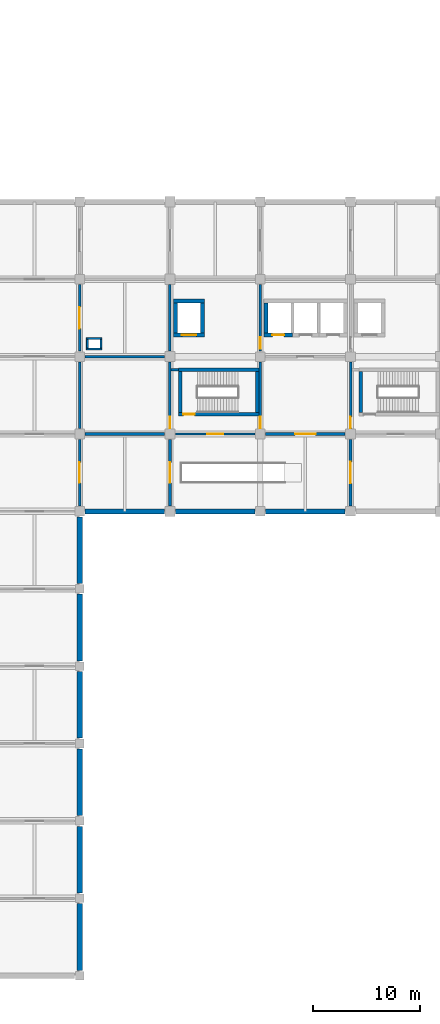
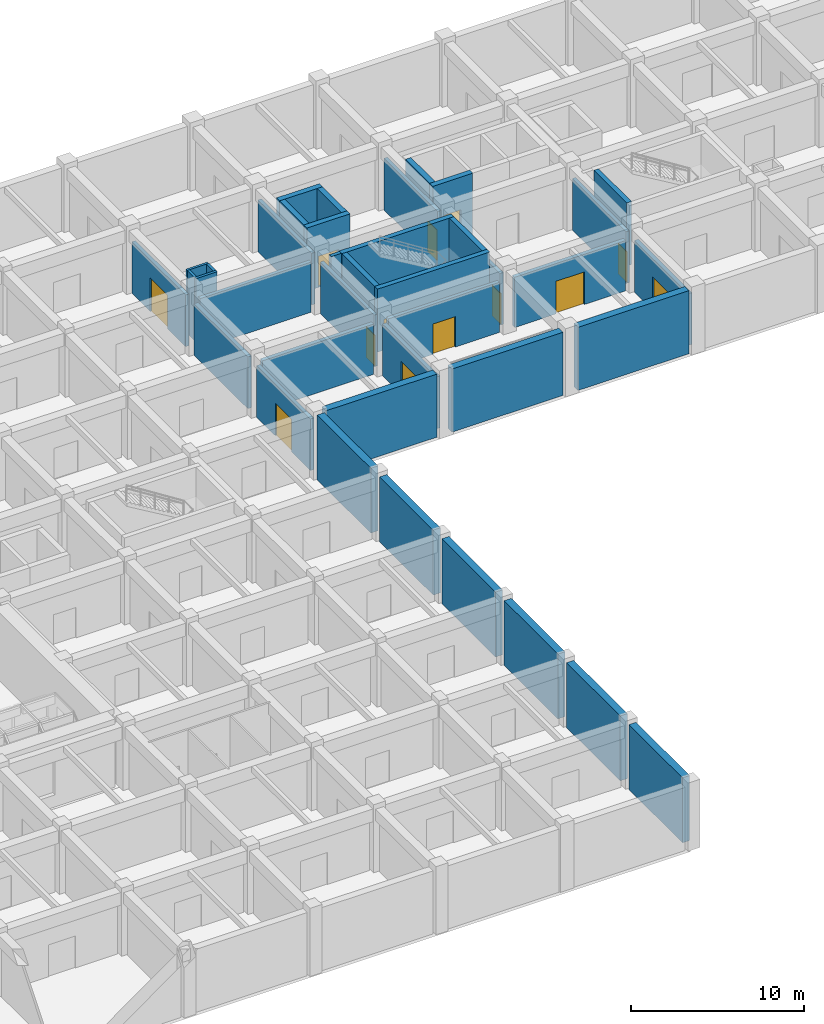
# One storey, part 21 of 32: 39 walls, 13 doors, 13 openings.
"""IFC4 building model written with IfcOpenShell, lengths in metres."""

from ifc_helpers import new_model, si_unit, derived_unit, direction, frame, frame_2d, origin, place, context, subcontext, project, spatial, rectangle, extrude, material, layer, layer_set, type_object, element, fill, save


model = new_model("IFC4")

# Units and contexts
model_context = context("Model", 3, precision=1e-05, world=origin(), true_north=direction((0.0, 1.0)))
body_context = subcontext(model_context, "Body", "Model", "MODEL_VIEW")
ifc_project = project(units=[si_unit("LENGTHUNIT", "METRE"), si_unit("AREAUNIT", "SQUARE_METRE"), si_unit("VOLUMEUNIT", "CUBIC_METRE"), si_unit("PLANEANGLEUNIT", "RADIAN"), si_unit("MASSUNIT", "GRAM", prefix="KILO"), derived_unit("THERMALTRANSMITTANCEUNIT", [(si_unit("MASSUNIT", "GRAM", prefix="KILO"), 1), (si_unit("TIMEUNIT", "SECOND"), -3), (si_unit("THERMODYNAMICTEMPERATUREUNIT", "KELVIN"), -1)])], contexts=[model_context])

# Site, building, storey
site_placement = place(None, origin())
site = spatial("IfcSite", under=ifc_project, at=site_placement, CompositionType="ELEMENT")
building_placement = place(site_placement, origin())
building = spatial("IfcBuilding", under=site, at=building_placement, Name="Veldstrom Oceanarium and Marine Research Institute", CompositionType="ELEMENT")
storey_placement = place(building_placement, frame((0.0, 0.0, -4.800048828125)))
storey = spatial("IfcBuildingStorey", under=building, at=storey_placement, Name="B01", CompositionType="ELEMENT", Elevation=-4.800048828125)

# Wall, opening, door
ifc_material_1 = material(Name="Masonry Fire Compartment Wall", Category="masonry")
ifc_layer_1 = layer(ifc_material_1, 0.22998046875)
ifc_layer_set_1 = layer_set([ifc_layer_1], Name="ARC-WAL-PT1")
wall_type_1 = type_object("IfcWallType", Name="ARC-WAL-PT1", PredefinedType="PARTITIONING", material=ifc_layer_set_1)
wall_1_placement = place(storey_placement, frame((67.199951171875, 43.699951171875, 0.0), z_axis=(0.0, 0.0, 1.0), x_axis=(0.0, 1.0, 0.0)))
wall_1 = element("IfcWall", 1, at=wall_1_placement, inside=storey, type_object=wall_type_1, Name="Interior Partition PT1 B01-0417", PredefinedType="PARTITIONING", context=body_context, shape_type="SweptSolid", body=[
    extrude(rectangle(XDim=6.199951171875, YDim=0.22998046875, at=frame_2d((3.10009765625, 0.0))), origin(), (0.0, 0.0, 1.0), 3.64501953125),
])
opening_1_placement = place(wall_1_placement, frame((2.14990234375, 0.0, 0.0)))
opening_1 = element("IfcOpeningElement", 2, at=opening_1_placement, cuts=wall_1, Name="Opening D-B01-242", PredefinedType="OPENING", context=body_context, shape_type="SweptSolid", body=[
    extrude(rectangle(XDim=1.89990234375, YDim=2.300048828125, at=frame_2d((0.949951171875, 1.14990234375))), frame((0.0, 0.125, 0.0), z_axis=(0.0, -1.0, 0.0), x_axis=(1.0, 0.0, 0.0)), (0.0, 0.0, 1.0), 0.25),
])
ifc_material_2 = material(Name="Plant Hall Equipment Door", Category="steel")
door_type_1 = type_object("IfcDoorType", Name="ARC-DOR-ID12", OperationType="DOUBLE_DOOR_SINGLE_SWING", PredefinedType="DOOR", material=ifc_material_2)
door_1_placement = place(opening_1_placement, frame((1.89990234375, 0.0, 0.0), z_axis=(0.0, 0.0, 1.0), x_axis=(-1.0, 0.0, 0.0)))
door_1 = element("IfcDoor", 3, at=door_1_placement, inside=storey, type_object=door_type_1, Name="Interior Door D-B01-242", OperationType="DOUBLE_DOOR_SINGLE_SWING", OverallHeight=2.300048828125, OverallWidth=1.89990234375, PredefinedType="DOOR", context=body_context, shape_type="SweptSolid", body=[
    extrude(rectangle(XDim=1.89990234375, YDim=2.300048828125, at=frame_2d((0.949951171875, 1.14990234375))), frame((0.0, 0.02490234375, 0.0), z_axis=(0.0, -1.0, 0.0), x_axis=(1.0, 0.0, 0.0)), (0.0, 0.0, 1.0), 0.050048828125),
])
fill(opening_1, door_1)

wall_2_placement = place(storey_placement, frame((67.199951171875, 58.10009765625, 0.0), z_axis=(0.0, 0.0, 1.0), x_axis=(0.0, 1.0, 0.0)))
wall_2 = element("IfcWall", 4, at=wall_2_placement, inside=storey, type_object=wall_type_1, Name="Interior Partition PT1 B01-0421", PredefinedType="PARTITIONING", context=body_context, shape_type="SweptSolid", body=[
    extrude(rectangle(XDim=6.199951171875, YDim=0.22998046875, at=frame_2d((3.10009765625, 0.0))), origin(), (0.0, 0.0, 1.0), 3.64501953125),
])
opening_2_placement = place(wall_2_placement, frame((2.10009765625, 0.0, 0.0)))
opening_2 = element("IfcOpeningElement", 5, at=opening_2_placement, cuts=wall_2, Name="Opening D-B01-245", PredefinedType="OPENING", context=body_context, shape_type="SweptSolid", body=[
    extrude(rectangle(XDim=2.0, YDim=2.35009765625, at=frame_2d((1.0, 1.175048828125))), frame((0.0, 0.125, 0.0), z_axis=(0.0, -1.0, 0.0), x_axis=(1.0, 0.0, 0.0)), (0.0, 0.0, 1.0), 0.25),
])
ifc_material_3 = material(Name="Filtration Hall Double Door", Category="steel")
door_type_2 = type_object("IfcDoorType", Name="ARC-DOR-ID18", OperationType="DOUBLE_DOOR_SINGLE_SWING", PredefinedType="DOOR", material=ifc_material_3)
door_2_placement = place(opening_2_placement, frame((2.0, 0.0, 0.0), z_axis=(0.0, 0.0, 1.0), x_axis=(-1.0, 0.0, 0.0)))
door_2 = element("IfcDoor", 6, at=door_2_placement, inside=storey, type_object=door_type_2, Name="Interior Door D-B01-245", OperationType="DOUBLE_DOOR_SINGLE_SWING", OverallHeight=2.35009765625, OverallWidth=2.0, PredefinedType="DOOR", context=body_context, shape_type="SweptSolid", body=[
    extrude(rectangle(XDim=2.0, YDim=2.35009765625, at=frame_2d((1.0, 1.175048828125))), frame((0.0, 0.02490234375, 0.0), z_axis=(0.0, -1.0, 0.0), x_axis=(1.0, 0.0, 0.0)), (0.0, 0.0, 1.0), 0.050048828125),
])
fill(opening_2, door_2)

wall_3_placement = place(storey_placement, frame((75.60009765625, 50.89990234375, 0.0), z_axis=(0.0, 0.0, 1.0), x_axis=(0.0, 1.0, 0.0)))
wall_3 = element("IfcWall", 7, at=wall_3_placement, inside=storey, type_object=wall_type_1, Name="Interior Partition PT1 B01-0426", PredefinedType="PARTITIONING", context=body_context, shape_type="SweptSolid", body=[
    extrude(rectangle(XDim=6.2001953125, YDim=0.22998046875, at=frame_2d((3.10009765625, 0.0))), origin(), (0.0, 0.0, 1.0), 3.64501953125),
])
opening_3_placement = place(wall_3_placement, frame((0.050048828125, 0.0, 0.0)))
opening_3 = element("IfcOpeningElement", 8, at=opening_3_placement, cuts=wall_3, Name="Opening D-B01-249", PredefinedType="OPENING", context=body_context, shape_type="SweptSolid", body=[
    extrude(rectangle(XDim=1.050048828125, YDim=2.14990234375, at=frame_2d((0.52490234375, 1.074951171875))), frame((0.0, 0.125, 0.0), z_axis=(0.0, -1.0, 0.0), x_axis=(1.0, 0.0, 0.0)), (0.0, 0.0, 1.0), 0.25),
])
ifc_material_4 = material(Name="Painted Steel Fire Door", Category="steel")
door_type_3 = type_object("IfcDoorType", Name="ARC-DOR-SD1", OperationType="SINGLE_SWING_LEFT", PredefinedType="DOOR", material=ifc_material_4)
door_3_placement = place(opening_3_placement, origin())
door_3 = element("IfcDoor", 9, at=door_3_placement, inside=storey, type_object=door_type_3, Name="Interior Door D-B01-249", OperationType="SINGLE_SWING_LEFT", OverallHeight=2.14990234375, OverallWidth=1.050048828125, PredefinedType="DOOR", context=body_context, shape_type="SweptSolid", body=[
    extrude(rectangle(XDim=1.050048828125, YDim=2.14990234375, at=frame_2d((0.52490234375, 1.074951171875))), frame((0.0, 0.02490234375, 0.0), z_axis=(0.0, -1.0, 0.0), x_axis=(1.0, 0.0, 0.0)), (0.0, 0.0, 1.0), 0.050048828125),
])
fill(opening_3, door_3)

# Walls
wall_4_placement = place(storey_placement, frame((67.699951171875, 57.60009765625, 0.0), z_axis=(0.0, 0.0, 1.0), x_axis=(1.0, 0.0, 0.0)))
element("IfcWall", 10, at=wall_4_placement, inside=storey, type_object=wall_type_1, Name="Interior Partition PT1 B01-0427", PredefinedType="PARTITIONING", context=body_context, shape_type="SweptSolid", body=[
    extrude(rectangle(XDim=7.400146484375, YDim=0.22998046875, at=frame_2d((3.7001953125, 0.0))), origin(), (0.0, 0.0, 1.0), 3.545166015625),
])
wall_5_placement = place(storey_placement, frame((75.60009765625, 58.10009765625, 0.0), z_axis=(0.0, 0.0, 1.0), x_axis=(0.0, 1.0, 0.0)))
element("IfcWall", 11, at=wall_5_placement, inside=storey, type_object=wall_type_1, Name="Interior Partition PT1 B01-0428", PredefinedType="PARTITIONING", context=body_context, shape_type="SweptSolid", body=[
    extrude(rectangle(XDim=6.199951171875, YDim=0.22998046875, at=frame_2d((3.10009765625, 0.0))), origin(), (0.0, 0.0, 1.0), 3.64501953125),
])

# Wall, opening, door
wall_6_placement = place(storey_placement, frame((76.10009765625, 50.39990234375, 0.0), z_axis=(0.0, 0.0, 1.0), x_axis=(1.0, 0.0, 0.0)))
wall_6 = element("IfcWall", 12, at=wall_6_placement, inside=storey, type_object=wall_type_1, Name="Interior Partition PT1 B01-0431", PredefinedType="PARTITIONING", context=body_context, shape_type="SweptSolid", body=[
    extrude(rectangle(XDim=7.39990234375, YDim=0.22998046875, at=frame_2d((3.699951171875, 0.0))), origin(), (0.0, 0.0, 1.0), 3.545166015625),
])
opening_4_placement = place(wall_6_placement, frame((2.949951171875, 0.0, 0.0)))
opening_4 = element("IfcOpeningElement", 13, at=opening_4_placement, cuts=wall_6, Name="Opening D-B01-251", PredefinedType="OPENING", context=body_context, shape_type="SweptSolid", body=[
    extrude(rectangle(XDim=1.5, YDim=2.14990234375, at=frame_2d((0.75, 1.074951171875))), frame((0.0, 0.125, 0.0), z_axis=(0.0, -1.0, 0.0), x_axis=(1.0, 0.0, 0.0)), (0.0, 0.0, 1.0), 0.25),
])
ifc_material_5 = material(Name="Painted Steel Lobby Fire Door", Category="steel")
door_type_4 = type_object("IfcDoorType", Name="ARC-DOR-SD2", OperationType="DOUBLE_DOOR_SINGLE_SWING", PredefinedType="DOOR", material=ifc_material_5)
door_4_placement = place(opening_4_placement, frame((1.5, 0.0, 0.0), z_axis=(0.0, 0.0, 1.0), x_axis=(-1.0, 0.0, 0.0)))
door_4 = element("IfcDoor", 14, at=door_4_placement, inside=storey, type_object=door_type_4, Name="Interior Door D-B01-251", OperationType="DOUBLE_DOOR_SINGLE_SWING", OverallHeight=2.14990234375, OverallWidth=1.5, PredefinedType="DOOR", context=body_context, shape_type="SweptSolid", body=[
    extrude(rectangle(XDim=1.5, YDim=2.14990234375, at=frame_2d((0.75, 1.074951171875))), frame((0.0, 0.02490234375, 0.0), z_axis=(0.0, -1.0, 0.0), x_axis=(1.0, 0.0, 0.0)), (0.0, 0.0, 1.0), 0.050048828125),
])
fill(opening_4, door_4)

wall_7_placement = place(storey_placement, frame((84.0, 50.89990234375, 0.0), z_axis=(0.0, 0.0, 1.0), x_axis=(0.0, 1.0, 0.0)))
wall_7 = element("IfcWall", 15, at=wall_7_placement, inside=storey, type_object=wall_type_1, Name="Interior Partition PT1 B01-0432", PredefinedType="PARTITIONING", context=body_context, shape_type="SweptSolid", body=[
    extrude(rectangle(XDim=6.2001953125, YDim=0.22998046875, at=frame_2d((3.10009765625, 0.0))), origin(), (0.0, 0.0, 1.0), 3.64501953125),
])
opening_5_placement = place(wall_7_placement, frame((0.050048828125, 0.0, 0.0)))
opening_5 = element("IfcOpeningElement", 16, at=opening_5_placement, cuts=wall_7, Name="Opening D-B01-252", PredefinedType="OPENING", context=body_context, shape_type="SweptSolid", body=[
    extrude(rectangle(XDim=1.050048828125, YDim=2.14990234375, at=frame_2d((0.52490234375, 1.074951171875))), frame((0.0, 0.125, 0.0), z_axis=(0.0, -1.0, 0.0), x_axis=(1.0, 0.0, 0.0)), (0.0, 0.0, 1.0), 0.25),
])
door_5_placement = place(opening_5_placement, origin())
door_5 = element("IfcDoor", 17, at=door_5_placement, inside=storey, type_object=door_type_3, Name="Interior Door D-B01-252", OperationType="SINGLE_SWING_LEFT", OverallHeight=2.14990234375, OverallWidth=1.050048828125, PredefinedType="DOOR", context=body_context, shape_type="SweptSolid", body=[
    extrude(rectangle(XDim=1.050048828125, YDim=2.14990234375, at=frame_2d((0.52490234375, 1.074951171875))), frame((0.0, 0.02490234375, 0.0), z_axis=(0.0, -1.0, 0.0), x_axis=(1.0, 0.0, 0.0)), (0.0, 0.0, 1.0), 0.050048828125),
])
fill(opening_5, door_5)

# Wall
wall_8_placement = place(storey_placement, frame((75.719970703125, 56.360107421875, 0.0), z_axis=(0.0, 0.0, 1.0), x_axis=(1.0, 0.0, 0.0)))
element("IfcWall", 18, at=wall_8_placement, inside=storey, type_object=wall_type_1, Name="Interior Partition PT1 B01-0433", PredefinedType="PARTITIONING", context=body_context, shape_type="SweptSolid", body=[
    extrude(rectangle(XDim=0.679931640625, YDim=0.22998046875, at=frame_2d((0.33984375, 0.0))), origin(), (0.0, 0.0, 1.0), 4.449951171875),
])

# Wall, opening, door
wall_9_placement = place(storey_placement, frame((84.0, 58.10009765625, 0.0), z_axis=(0.0, 0.0, 1.0), x_axis=(0.0, 1.0, 0.0)))
wall_9 = element("IfcWall", 19, at=wall_9_placement, inside=storey, type_object=wall_type_1, Name="Interior Partition PT1 B01-0434", PredefinedType="PARTITIONING", context=body_context, shape_type="SweptSolid", body=[
    extrude(rectangle(XDim=6.199951171875, YDim=0.22998046875, at=frame_2d((3.10009765625, 0.0))), origin(), (0.0, 0.0, 1.0), 3.64501953125),
])
opening_6_placement = place(wall_9_placement, frame((0.25, 0.0, 0.0)))
opening_6 = element("IfcOpeningElement", 20, at=opening_6_placement, cuts=wall_9, Name="Opening D-B01-253", PredefinedType="OPENING", context=body_context, shape_type="SweptSolid", body=[
    extrude(rectangle(XDim=1.050048828125, YDim=2.14990234375, at=frame_2d((0.52490234375, 1.074951171875))), frame((0.0, 0.125, 0.0), z_axis=(0.0, -1.0, 0.0), x_axis=(1.0, 0.0, 0.0)), (0.0, 0.0, 1.0), 0.25),
])
door_6_placement = place(opening_6_placement, frame((1.050048828125, 0.0, 0.0), z_axis=(0.0, 0.0, 1.0), x_axis=(-1.0, 0.0, 0.0)))
door_6 = element("IfcDoor", 21, at=door_6_placement, inside=storey, type_object=door_type_3, Name="Interior Door D-B01-253", OperationType="SINGLE_SWING_RIGHT", OverallHeight=2.14990234375, OverallWidth=1.050048828125, PredefinedType="DOOR", context=body_context, shape_type="SweptSolid", body=[
    extrude(rectangle(XDim=1.050048828125, YDim=2.14990234375, at=frame_2d((0.52490234375, 1.074951171875))), frame((0.0, 0.02490234375, 0.0), z_axis=(0.0, -1.0, 0.0), x_axis=(1.0, 0.0, 0.0)), (0.0, 0.0, 1.0), 0.050048828125),
])
fill(opening_6, door_6)

wall_10_placement = place(storey_placement, frame((92.39990234375, 50.89990234375, 0.0), z_axis=(0.0, 0.0, 1.0), x_axis=(0.0, 1.0, 0.0)))
wall_10 = element("IfcWall", 22, at=wall_10_placement, inside=storey, type_object=wall_type_1, Name="Interior Partition PT1 B01-0439", PredefinedType="PARTITIONING", context=body_context, shape_type="SweptSolid", body=[
    extrude(rectangle(XDim=6.2001953125, YDim=0.22998046875, at=frame_2d((3.10009765625, 0.0))), origin(), (0.0, 0.0, 1.0), 3.64501953125),
])
opening_7_placement = place(wall_10_placement, frame((0.050048828125, 0.0, 0.0)))
opening_7 = element("IfcOpeningElement", 23, at=opening_7_placement, cuts=wall_10, Name="Opening D-B01-257", PredefinedType="OPENING", context=body_context, shape_type="SweptSolid", body=[
    extrude(rectangle(XDim=1.050048828125, YDim=2.14990234375, at=frame_2d((0.52490234375, 1.074951171875))), frame((0.0, 0.125, 0.0), z_axis=(0.0, -1.0, 0.0), x_axis=(1.0, 0.0, 0.0)), (0.0, 0.0, 1.0), 0.25),
])
door_7_placement = place(opening_7_placement, frame((1.050048828125, 0.0, 0.0), z_axis=(0.0, 0.0, 1.0), x_axis=(-1.0, 0.0, 0.0)))
door_7 = element("IfcDoor", 24, at=door_7_placement, inside=storey, type_object=door_type_3, Name="Interior Door D-B01-257", OperationType="SINGLE_SWING_RIGHT", OverallHeight=2.14990234375, OverallWidth=1.050048828125, PredefinedType="DOOR", context=body_context, shape_type="SweptSolid", body=[
    extrude(rectangle(XDim=1.050048828125, YDim=2.14990234375, at=frame_2d((0.52490234375, 1.074951171875))), frame((0.0, 0.02490234375, 0.0), z_axis=(0.0, -1.0, 0.0), x_axis=(1.0, 0.0, 0.0)), (0.0, 0.0, 1.0), 0.050048828125),
])
fill(opening_7, door_7)

# Wall
ifc_material_6 = material(Name="Plant Acoustic Masonry Wall", Category="masonry")
ifc_layer_2 = layer(ifc_material_6, 0.260009765625)
ifc_layer_set_2 = layer_set([ifc_layer_2], Name="ARC-WAL-PT8")
wall_type_2 = type_object("IfcWallType", Name="ARC-WAL-PT8", PredefinedType="PARTITIONING", material=ifc_layer_set_2)
wall_11_placement = place(storey_placement, frame((67.199951171875, 50.89990234375, 0.0), z_axis=(0.0, 0.0, 1.0), x_axis=(0.0, 1.0, 0.0)))
element("IfcWall", 25, at=wall_11_placement, inside=storey, type_object=wall_type_2, Name="Interior Partition PT8 B01-0419", PredefinedType="PARTITIONING", context=body_context, shape_type="SweptSolid", body=[
    extrude(rectangle(XDim=6.2001953125, YDim=0.260009765625, at=frame_2d((3.10009765625, 0.0))), origin(), (0.0, 0.0, 1.0), 3.64501953125),
])

# Wall, opening, door
wall_12_placement = place(storey_placement, frame((75.60009765625, 43.699951171875, 0.0), z_axis=(0.0, 0.0, 1.0), x_axis=(0.0, 1.0, 0.0)))
wall_12 = element("IfcWall", 26, at=wall_12_placement, inside=storey, type_object=wall_type_2, Name="Interior Partition PT8 B01-0424", PredefinedType="PARTITIONING", context=body_context, shape_type="SweptSolid", body=[
    extrude(rectangle(XDim=6.199951171875, YDim=0.260009765625, at=frame_2d((3.10009765625, 0.0))), origin(), (0.0, 0.0, 1.0), 3.64501953125),
])
opening_8_placement = place(wall_12_placement, frame((2.14990234375, 0.0, 0.0)))
opening_8 = element("IfcOpeningElement", 27, at=opening_8_placement, cuts=wall_12, Name="Opening D-B01-248", PredefinedType="OPENING", context=body_context, shape_type="SweptSolid", body=[
    extrude(rectangle(XDim=1.89990234375, YDim=2.300048828125, at=frame_2d((0.949951171875, 1.14990234375))), frame((0.0, 0.139892578125, 0.0), z_axis=(0.0, -1.0, 0.0), x_axis=(1.0, 0.0, 0.0)), (0.0, 0.0, 1.0), 0.280029296875),
])
door_8_placement = place(opening_8_placement, origin())
door_8 = element("IfcDoor", 28, at=door_8_placement, inside=storey, type_object=door_type_1, Name="Interior Door D-B01-248", OperationType="DOUBLE_DOOR_SINGLE_SWING", OverallHeight=2.300048828125, OverallWidth=1.89990234375, PredefinedType="DOOR", context=body_context, shape_type="SweptSolid", body=[
    extrude(rectangle(XDim=1.89990234375, YDim=2.300048828125, at=frame_2d((0.949951171875, 1.14990234375))), frame((0.0, 0.02490234375, 0.0), z_axis=(0.0, -1.0, 0.0), x_axis=(1.0, 0.0, 0.0)), (0.0, 0.0, 1.0), 0.050048828125),
])
fill(opening_8, door_8)

# Wall
wall_13_placement = place(storey_placement, frame((67.699951171875, 50.39990234375, 0.0), z_axis=(0.0, 0.0, 1.0), x_axis=(1.0, 0.0, 0.0)))
element("IfcWall", 29, at=wall_13_placement, inside=storey, type_object=wall_type_2, Name="Interior Partition PT8 B01-0425", PredefinedType="PARTITIONING", context=body_context, shape_type="SweptSolid", body=[
    extrude(rectangle(XDim=7.400146484375, YDim=0.260009765625, at=frame_2d((3.7001953125, 0.0))), origin(), (0.0, 0.0, 1.0), 3.545166015625),
])

# Wall, opening, door
wall_14_placement = place(storey_placement, frame((92.39990234375, 43.699951171875, 0.0), z_axis=(0.0, 0.0, 1.0), x_axis=(0.0, 1.0, 0.0)))
wall_14 = element("IfcWall", 30, at=wall_14_placement, inside=storey, type_object=wall_type_2, Name="Interior Partition PT8 B01-0437", PredefinedType="PARTITIONING", context=body_context, shape_type="SweptSolid", body=[
    extrude(rectangle(XDim=6.199951171875, YDim=0.260009765625, at=frame_2d((3.10009765625, 0.0))), origin(), (0.0, 0.0, 1.0), 3.64501953125),
])
opening_9_placement = place(wall_14_placement, frame((2.10009765625, 0.0, 0.0)))
opening_9 = element("IfcOpeningElement", 31, at=opening_9_placement, cuts=wall_14, Name="Opening D-B01-255", PredefinedType="OPENING", context=body_context, shape_type="SweptSolid", body=[
    extrude(rectangle(XDim=2.0, YDim=2.35009765625, at=frame_2d((1.0, 1.175048828125))), frame((0.0, 0.139892578125, 0.0), z_axis=(0.0, -1.0, 0.0), x_axis=(1.0, 0.0, 0.0)), (0.0, 0.0, 1.0), 0.280029296875),
])
door_9_placement = place(opening_9_placement, origin())
door_9 = element("IfcDoor", 32, at=door_9_placement, inside=storey, type_object=door_type_2, Name="Interior Door D-B01-255", OperationType="DOUBLE_DOOR_SINGLE_SWING", OverallHeight=2.35009765625, OverallWidth=2.0, PredefinedType="DOOR", context=body_context, shape_type="SweptSolid", body=[
    extrude(rectangle(XDim=2.0, YDim=2.35009765625, at=frame_2d((1.0, 1.175048828125))), frame((0.0, 0.02490234375, 0.0), z_axis=(0.0, -1.0, 0.0), x_axis=(1.0, 0.0, 0.0)), (0.0, 0.0, 1.0), 0.050048828125),
])
fill(opening_9, door_9)

wall_15_placement = place(storey_placement, frame((84.5, 50.39990234375, 0.0), z_axis=(0.0, 0.0, 1.0), x_axis=(1.0, 0.0, 0.0)))
wall_15 = element("IfcWall", 33, at=wall_15_placement, inside=storey, type_object=wall_type_2, Name="Interior Partition PT8 B01-0438", PredefinedType="PARTITIONING", context=body_context, shape_type="SweptSolid", body=[
    extrude(rectangle(XDim=7.39990234375, YDim=0.260009765625, at=frame_2d((3.699951171875, 0.0))), origin(), (0.0, 0.0, 1.0), 3.545166015625),
])
opening_10_placement = place(wall_15_placement, frame((2.75, 0.0, 0.0)))
opening_10 = element("IfcOpeningElement", 34, at=opening_10_placement, cuts=wall_15, Name="Opening D-B01-256", PredefinedType="OPENING", context=body_context, shape_type="SweptSolid", body=[
    extrude(rectangle(XDim=1.89990234375, YDim=2.300048828125, at=frame_2d((0.949951171875, 1.14990234375))), frame((0.0, 0.139892578125, 0.0), z_axis=(0.0, -1.0, 0.0), x_axis=(1.0, 0.0, 0.0)), (0.0, 0.0, 1.0), 0.280029296875),
])
door_10_placement = place(opening_10_placement, frame((1.89990234375, 0.0, 0.0), z_axis=(0.0, 0.0, 1.0), x_axis=(-1.0, 0.0, 0.0)))
door_10 = element("IfcDoor", 35, at=door_10_placement, inside=storey, type_object=door_type_1, Name="Interior Door D-B01-256", OperationType="DOUBLE_DOOR_SINGLE_SWING", OverallHeight=2.300048828125, OverallWidth=1.89990234375, PredefinedType="DOOR", context=body_context, shape_type="SweptSolid", body=[
    extrude(rectangle(XDim=1.89990234375, YDim=2.300048828125, at=frame_2d((0.949951171875, 1.14990234375))), frame((0.0, 0.02490234375, 0.0), z_axis=(0.0, -1.0, 0.0), x_axis=(1.0, 0.0, 0.0)), (0.0, 0.0, 1.0), 0.050048828125),
])
fill(opening_10, door_10)

# Walls
ifc_material_7 = material(Name="Service Riser Fire Shaft Wall", Category="masonry")
ifc_layer_3 = layer(ifc_material_7, 0.1650390625)
ifc_layer_set_3 = layer_set([ifc_layer_3], Name="ARC-WAL-PT9")
wall_type_3 = type_object("IfcWallType", Name="ARC-WAL-PT9", PredefinedType="PARTITIONING", material=ifc_layer_set_3)
for number, where, z_axis, x_axis, name in (
    (36, (67.8349609375, 58.3173828125, 0.0), (0.0, 0.0, 1.0), (1.0, 0.0, 0.0), "Service Riser Fire Shaft Wall B01-CW-S"),
    (37, (67.8349609375, 59.282470703125, 0.0), (0.0, 0.0, 1.0), (1.0, 0.0, 0.0), "Service Riser Fire Shaft Wall B01-CW-N"),
):
    element("IfcWall", number, at=place(storey_placement, frame(where, z_axis=z_axis, x_axis=x_axis)), inside=storey, type_object=wall_type_3, Name=name, PredefinedType="PARTITIONING", context=body_context, shape_type="SweptSolid", body=[
        extrude(rectangle(XDim=1.429931640625, YDim=0.1650390625, at=frame_2d((0.71484375, 0.0))), origin(), (0.0, 0.0, 1.0), 4.449951171875),
    ])
for number, where, z_axis, x_axis, name in (
    (38, (67.91748046875, 58.39990234375, 0.0), (0.0, 0.0, 1.0), (0.0, 1.0, 0.0), "Service Riser Fire Shaft Wall B01-CW-W"),
    (39, (69.1826171875, 58.39990234375, 0.0), (0.0, 0.0, 1.0), (0.0, 1.0, 0.0), "Service Riser Fire Shaft Wall B01-CW-E"),
):
    element("IfcWall", number, at=place(storey_placement, frame(where, z_axis=z_axis, x_axis=x_axis)), inside=storey, type_object=wall_type_3, Name=name, PredefinedType="PARTITIONING", context=body_context, shape_type="SweptSolid", body=[
        extrude(rectangle(XDim=0.800048828125, YDim=0.1650390625, at=frame_2d((0.39990234375, 0.0))), origin(), (0.0, 0.0, 1.0), 4.449951171875),
    ])
ifc_material_8 = material(Name="Concrete C40/50", Category="concrete")
ifc_layer_4 = layer(ifc_material_8, 0.360107421875)
ifc_layer_set_4 = layer_set([ifc_layer_4], Name="STR-WAL-WC2")
wall_type_4 = type_object("IfcWallType", Name="STR-WAL-WC2", PredefinedType="SHEAR", material=ifc_layer_set_4)
wall_16_placement = place(storey_placement, frame((75.93994140625, 62.780029296875, 0.0), z_axis=(0.0, 0.0, 1.0), x_axis=(1.0, 0.0, 0.0)))
element("IfcWall", 40, at=wall_16_placement, inside=storey, type_object=wall_type_4, Name="Lift Shaft Shear Wall N B01 9/8", PredefinedType="SHEAR", context=body_context, shape_type="SweptSolid", body=[
    extrude(rectangle(XDim=2.8701171875, YDim=0.360107421875, at=frame_2d((1.43505859375, 0.0))), origin(), (0.0, 0.0, 1.0), 4.449951171875),
])

# Wall, opening, door
wall_17_placement = place(storey_placement, frame((75.93994140625, 59.6201171875, 0.0), z_axis=(0.0, 0.0, 1.0), x_axis=(1.0, 0.0, 0.0)))
wall_17 = element("IfcWall", 41, at=wall_17_placement, inside=storey, type_object=wall_type_4, Name="Lift Shaft Front Shear Wall LF1 B01", PredefinedType="SHEAR", context=body_context, shape_type="SweptSolid", body=[
    extrude(rectangle(XDim=2.8701171875, YDim=0.360107421875, at=frame_2d((1.43505859375, 0.0))), origin(), (0.0, 0.0, 1.0), 4.449951171875),
])
opening_11_placement = place(wall_17_placement, frame((0.760009765625, 0.0, 0.0)))
opening_11 = element("IfcOpeningElement", 42, at=opening_11_placement, cuts=wall_17, Name="Opening LD-LF1-B01", PredefinedType="OPENING", context=body_context, shape_type="SweptSolid", body=[
    extrude(rectangle(XDim=1.35009765625, YDim=2.199951171875, at=frame_2d((0.675048828125, 1.10009765625))), frame((0.0, 0.18994140625, 0.0), z_axis=(0.0, -1.0, 0.0), x_axis=(1.0, 0.0, 0.0)), (0.0, 0.0, 1.0), 0.380126953125),
])
ifc_material_9 = material(Name="Stainless Steel Lift Landing Door", Category="steel")
door_type_5 = type_object("IfcDoorType", Name="ARC-DOR-LD3", OperationType="DOUBLE_DOOR_SLIDING", PredefinedType="DOOR", material=ifc_material_9)
door_11_placement = place(opening_11_placement, origin())
door_11 = element("IfcDoor", 43, at=door_11_placement, inside=storey, type_object=door_type_5, Name="Lift Landing Door LD-LF1-B01", OperationType="DOUBLE_DOOR_SLIDING", OverallHeight=2.199951171875, OverallWidth=1.35009765625, PredefinedType="DOOR", context=body_context, shape_type="SweptSolid", body=[
    extrude(rectangle(XDim=1.35009765625, YDim=2.199951171875, at=frame_2d((0.675048828125, 1.10009765625))), frame((0.0, 0.02490234375, 0.0), z_axis=(0.0, -1.0, 0.0), x_axis=(1.0, 0.0, 0.0)), (0.0, 0.0, 1.0), 0.050048828125),
])
fill(opening_11, door_11)

# Walls
for number, where, z_axis, x_axis, name in (
    (44, (76.1201171875, 59.800048828125, 0.0), (0.0, 0.0, 1.0), (0.0, 1.0, 0.0), "Lift Shaft Shear Wall W B01 9/8"),
    (45, (78.6298828125, 59.800048828125, 0.0), (0.0, 0.0, 1.0), (0.0, 1.0, 0.0), "Lift Shaft Shear Wall E B01 9/8"),
):
    element("IfcWall", number, at=place(storey_placement, frame(where, z_axis=z_axis, x_axis=x_axis)), inside=storey, type_object=wall_type_4, Name=name, PredefinedType="SHEAR", context=body_context, shape_type="SweptSolid", body=[
        extrude(rectangle(XDim=2.800048828125, YDim=0.360107421875, at=frame_2d((1.39990234375, 0.0))), origin(), (0.0, 0.0, 1.0), 4.449951171875),
    ])

# Wall, opening, door
wall_18_placement = place(storey_placement, frame((84.340087890625, 59.6201171875, 0.0), z_axis=(0.0, 0.0, 1.0), x_axis=(1.0, 0.0, 0.0)))
wall_18 = element("IfcWall", 46, at=wall_18_placement, inside=storey, type_object=wall_type_4, Name="Lift Shaft Front Shear Wall LP1 B01", PredefinedType="SHEAR", context=body_context, shape_type="SweptSolid", body=[
    extrude(rectangle(XDim=2.659912109375, YDim=0.360107421875, at=frame_2d((1.330078125, 0.0))), origin(), (0.0, 0.0, 1.0), 4.449951171875),
])
opening_12_placement = place(wall_18_placement, frame((0.780029296875, 0.0, 0.0)))
opening_12 = element("IfcOpeningElement", 47, at=opening_12_placement, cuts=wall_18, Name="Opening LD-LP1-B01", PredefinedType="OPENING", context=body_context, shape_type="SweptSolid", body=[
    extrude(rectangle(XDim=1.10009765625, YDim=2.14990234375, at=frame_2d((0.550048828125, 1.074951171875))), frame((0.0, 0.18994140625, 0.0), z_axis=(0.0, -1.0, 0.0), x_axis=(1.0, 0.0, 0.0)), (0.0, 0.0, 1.0), 0.380126953125),
])
ifc_material_10 = material(Name="Stainless Steel Lift Landing Door", Category="steel")
door_type_6 = type_object("IfcDoorType", Name="ARC-DOR-LD1", OperationType="DOUBLE_DOOR_SLIDING", PredefinedType="DOOR", material=ifc_material_10)
door_12_placement = place(opening_12_placement, origin())
door_12 = element("IfcDoor", 48, at=door_12_placement, inside=storey, type_object=door_type_6, Name="Lift Landing Door LD-LP1-B01", OperationType="DOUBLE_DOOR_SLIDING", OverallHeight=2.14990234375, OverallWidth=1.10009765625, PredefinedType="DOOR", context=body_context, shape_type="SweptSolid", body=[
    extrude(rectangle(XDim=1.10009765625, YDim=2.14990234375, at=frame_2d((0.550048828125, 1.074951171875))), frame((0.0, 0.02490234375, 0.0), z_axis=(0.0, -1.0, 0.0), x_axis=(1.0, 0.0, 0.0)), (0.0, 0.0, 1.0), 0.050048828125),
])
fill(opening_12, door_12)

# Wall
wall_19_placement = place(storey_placement, frame((84.52001953125, 59.800048828125, 0.0), z_axis=(0.0, 0.0, 1.0), x_axis=(0.0, 1.0, 0.0)))
element("IfcWall", 49, at=wall_19_placement, inside=storey, type_object=wall_type_4, Name="Lift Shaft Shear Wall W B01 10/8", PredefinedType="SHEAR", context=body_context, shape_type="SweptSolid", body=[
    extrude(rectangle(XDim=2.800048828125, YDim=0.360107421875, at=frame_2d((1.39990234375, 0.0))), origin(), (0.0, 0.0, 1.0), 4.449951171875),
])

# Wall, opening, door
ifc_material_11 = material(Name="Concrete C40/50", Category="concrete")
ifc_layer_5 = layer(ifc_material_11, 0.320068359375)
ifc_layer_set_5 = layer_set([ifc_layer_5], Name="STR-WAL-WC3")
wall_type_5 = type_object("IfcWallType", Name="STR-WAL-WC3", PredefinedType="SHEAR", material=ifc_layer_set_5)
wall_20_placement = place(storey_placement, frame((76.39990234375, 52.239990234375, 0.0), z_axis=(0.0, 0.0, 1.0), x_axis=(1.0, 0.0, 0.0)))
wall_20 = element("IfcWall", 50, at=wall_20_placement, inside=storey, type_object=wall_type_5, Name="Stair Core Shear Wall SC1-B01-S", PredefinedType="SHEAR", context=body_context, shape_type="SweptSolid", body=[
    extrude(rectangle(XDim=7.47998046875, YDim=0.320068359375, at=frame_2d((3.739990234375, 0.0))), origin(), (0.0, 0.0, 1.0), 4.449951171875),
])
opening_13_placement = place(wall_20_placement, frame((0.449951171875, 0.0, 0.0)))
opening_13 = element("IfcOpeningElement", 51, at=opening_13_placement, cuts=wall_20, Name="Opening D-ST1-B01", PredefinedType="OPENING", context=body_context, shape_type="SweptSolid", body=[
    extrude(rectangle(XDim=1.050048828125, YDim=2.14990234375, at=frame_2d((0.52490234375, 1.074951171875))), frame((0.0, 0.169921875, 0.0), z_axis=(0.0, -1.0, 0.0), x_axis=(1.0, 0.0, 0.0)), (0.0, 0.0, 1.0), 0.340087890625),
])
door_13_placement = place(opening_13_placement, origin())
door_13 = element("IfcDoor", 52, at=door_13_placement, inside=storey, type_object=door_type_3, Name="Escape Stair Fire Door D-ST1-B01", OperationType="SINGLE_SWING_LEFT", OverallHeight=2.14990234375, OverallWidth=1.050048828125, PredefinedType="DOOR", context=body_context, shape_type="SweptSolid", body=[
    extrude(rectangle(XDim=1.050048828125, YDim=2.14990234375, at=frame_2d((0.52490234375, 1.074951171875))), frame((0.0, 0.02490234375, 0.0), z_axis=(0.0, -1.0, 0.0), x_axis=(1.0, 0.0, 0.0)), (0.0, 0.0, 1.0), 0.050048828125),
])
fill(opening_13, door_13)

# Walls
wall_21_placement = place(storey_placement, frame((76.39990234375, 56.360107421875, 0.0), z_axis=(0.0, 0.0, 1.0), x_axis=(1.0, 0.0, 0.0)))
element("IfcWall", 53, at=wall_21_placement, inside=storey, type_object=wall_type_5, Name="Stair Core Shear Wall SC1-B01-N", PredefinedType="SHEAR", context=body_context, shape_type="SweptSolid", body=[
    extrude(rectangle(XDim=7.47998046875, YDim=0.320068359375, at=frame_2d((3.739990234375, 0.0))), origin(), (0.0, 0.0, 1.0), 4.449951171875),
])
for number, where, z_axis, x_axis, name in (
    (54, (76.56005859375, 52.39990234375, 0.0), (0.0, 0.0, 1.0), (0.0, 1.0, 0.0), "Stair Core Shear Wall SC1-B01-W"),
    (55, (83.719970703125, 52.39990234375, 0.0), (0.0, 0.0, 1.0), (0.0, 1.0, 0.0), "Stair Core Shear Wall SC1-B01-E"),
    (56, (93.360107421875, 52.39990234375, 0.0), (0.0, 0.0, 1.0), (0.0, 1.0, 0.0), "Stair Core Shear Wall SC2-B01-W"),
):
    element("IfcWall", number, at=place(storey_placement, frame(where, z_axis=z_axis, x_axis=x_axis)), inside=storey, type_object=wall_type_5, Name=name, PredefinedType="SHEAR", context=body_context, shape_type="SweptSolid", body=[
        extrude(rectangle(XDim=3.800048828125, YDim=0.320068359375, at=frame_2d((1.89990234375, 0.0))), origin(), (0.0, 0.0, 1.0), 4.449951171875),
    ])
ifc_material_12 = material(Name="Concrete C40/50", Category="concrete")
ifc_layer_6 = layer(ifc_material_12, 0.47998046875)
ifc_layer_set_6 = layer_set([ifc_layer_6], Name="STR-WAL-WR2")
wall_type_6 = type_object("IfcWallType", Name="STR-WAL-WR2", PredefinedType="USERDEFINED", material=ifc_layer_set_6)
for number, where, z_axis, x_axis, name in (
    (57, (67.199951171875, 0.5, 0.0), (0.0, 0.0, 1.0), (0.0, 1.0, 0.0), "Basement Retaining Wall WR2-B01-026"),
    (58, (67.199951171875, 7.699951171875, 0.0), (0.0, 0.0, 1.0), (0.0, 1.0, 0.0), "Basement Retaining Wall WR2-B01-027"),
):
    element("IfcWall", number, at=place(storey_placement, frame(where, z_axis=z_axis, x_axis=x_axis)), inside=storey, type_object=wall_type_6, Name=name, ObjectType="Retaining wall", PredefinedType="USERDEFINED", context=body_context, shape_type="SweptSolid", body=[
        extrude(rectangle(XDim=6.199951171875, YDim=0.47998046875, at=frame_2d((3.10009765625, 0.0))), origin(), (0.0, 0.0, 1.0), 4.574951171875),
    ])
wall_22_placement = place(storey_placement, frame((67.199951171875, 14.89990234375, 0.0), z_axis=(0.0, 0.0, 1.0), x_axis=(0.0, 1.0, 0.0)))
element("IfcWall", 59, at=wall_22_placement, inside=storey, type_object=wall_type_6, Name="Basement Retaining Wall WR2-B01-028", ObjectType="Retaining wall", PredefinedType="USERDEFINED", context=body_context, shape_type="SweptSolid", body=[
    extrude(rectangle(XDim=6.2001953125, YDim=0.47998046875, at=frame_2d((3.10009765625, 0.0))), origin(), (0.0, 0.0, 1.0), 4.574951171875),
])
for number, where, z_axis, x_axis, name in (
    (60, (67.199951171875, 22.10009765625, 0.0), (0.0, 0.0, 1.0), (0.0, 1.0, 0.0), "Basement Retaining Wall WR2-B01-029"),
    (61, (67.199951171875, 29.300048828125, 0.0), (0.0, 0.0, 1.0), (0.0, 1.0, 0.0), "Basement Retaining Wall WR2-B01-030"),
    (62, (67.199951171875, 36.5, 0.0), (0.0, 0.0, 1.0), (0.0, 1.0, 0.0), "Basement Retaining Wall WR2-B01-031"),
):
    element("IfcWall", number, at=place(storey_placement, frame(where, z_axis=z_axis, x_axis=x_axis)), inside=storey, type_object=wall_type_6, Name=name, ObjectType="Retaining wall", PredefinedType="USERDEFINED", context=body_context, shape_type="SweptSolid", body=[
        extrude(rectangle(XDim=6.199951171875, YDim=0.47998046875, at=frame_2d((3.10009765625, 0.0))), origin(), (0.0, 0.0, 1.0), 4.574951171875),
    ])
wall_23_placement = place(storey_placement, frame((67.699951171875, 43.199951171875, 0.0), z_axis=(0.0, 0.0, 1.0), x_axis=(1.0, 0.0, 0.0)))
element("IfcWall", 63, at=wall_23_placement, inside=storey, type_object=wall_type_6, Name="Basement Retaining Wall WR2-B01-033", ObjectType="Retaining wall", PredefinedType="USERDEFINED", context=body_context, shape_type="SweptSolid", body=[
    extrude(rectangle(XDim=7.400146484375, YDim=0.47998046875, at=frame_2d((3.7001953125, 0.0))), origin(), (0.0, 0.0, 1.0), 4.449951171875),
])
for number, where, z_axis, x_axis, name in (
    (64, (76.10009765625, 43.199951171875, 0.0), (0.0, 0.0, 1.0), (1.0, 0.0, 0.0), "Basement Retaining Wall WR2-B01-035"),
    (65, (84.5, 43.199951171875, 0.0), (0.0, 0.0, 1.0), (1.0, 0.0, 0.0), "Basement Retaining Wall WR2-B01-037"),
):
    element("IfcWall", number, at=place(storey_placement, frame(where, z_axis=z_axis, x_axis=x_axis)), inside=storey, type_object=wall_type_6, Name=name, ObjectType="Retaining wall", PredefinedType="USERDEFINED", context=body_context, shape_type="SweptSolid", body=[
        extrude(rectangle(XDim=7.39990234375, YDim=0.47998046875, at=frame_2d((3.699951171875, 0.0))), origin(), (0.0, 0.0, 1.0), 4.449951171875),
    ])

save(model, "model.ifc")
